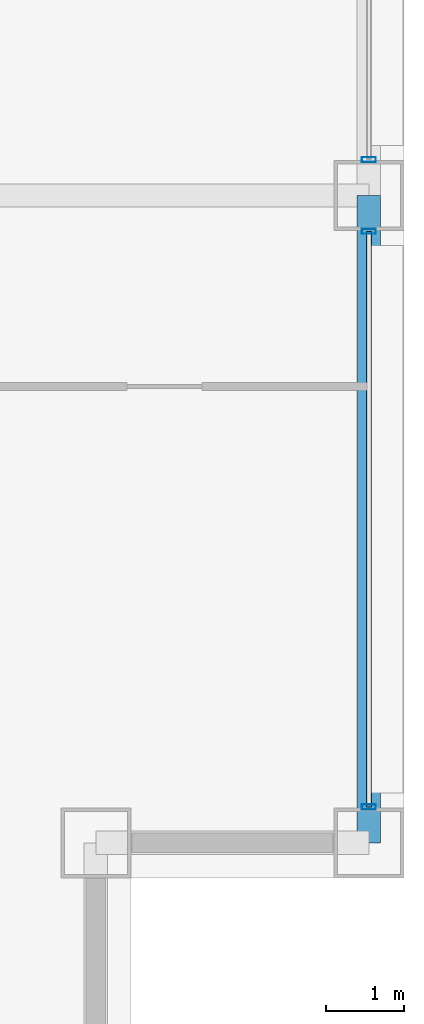
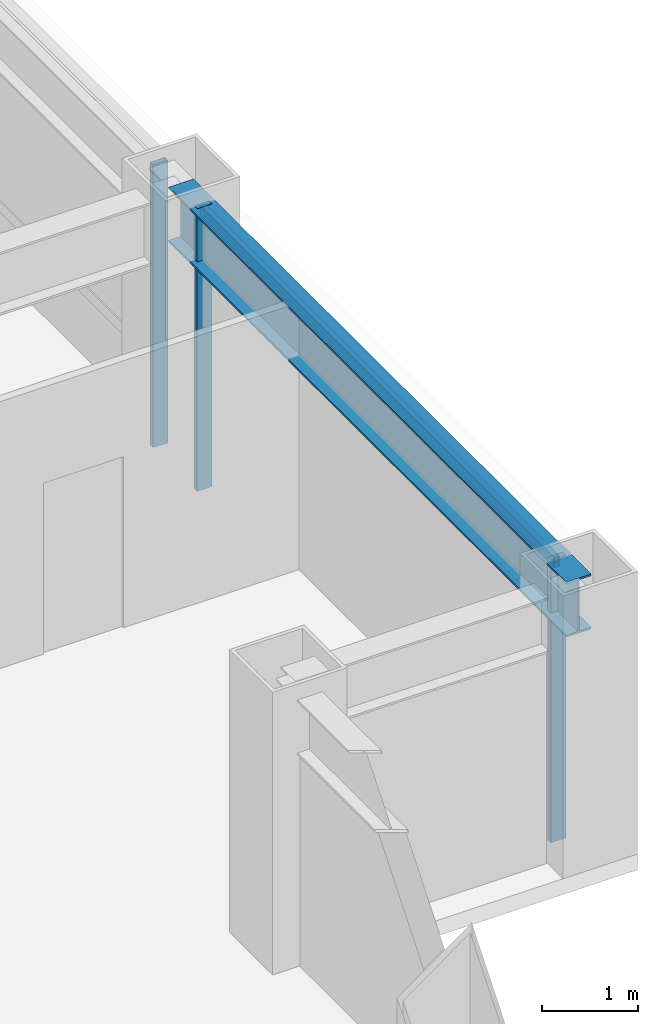
# One storey, part 13 of 29: 4 members, 1 beam, 2 elements without a shape of their own.
"""IFC4 building model written with IfcOpenShell, lengths in metres."""

from ifc_helpers import new_model, si_unit, direction, frame, origin, origin_2d, place, context, subcontext, project, spatial, hollow_rectangle, i_section, extrude, material, layer, layer_set, material_profile, profile_set, type_object, element, aggregate, save


model = new_model("IFC4")

# Units and contexts
model_context = context("Model", 3, precision=1e-05, world=origin(), true_north=direction((0.0, 1.0)))
body_context = subcontext(model_context, "Body", "Model", "MODEL_VIEW")
ifc_project = project(units=[si_unit("LENGTHUNIT", "METRE"), si_unit("AREAUNIT", "SQUARE_METRE"), si_unit("VOLUMEUNIT", "CUBIC_METRE"), si_unit("PLANEANGLEUNIT", "RADIAN"), si_unit("MASSUNIT", "GRAM", prefix="KILO")], contexts=[model_context])

# Site, building, storey
site_placement = place(None, origin())
site = spatial("IfcSite", under=ifc_project, at=site_placement, CompositionType="ELEMENT")
building_placement = place(site_placement, origin())
building = spatial("IfcBuilding", under=site, at=building_placement, Name="Brelmoor Portico Tower", CompositionType="ELEMENT")
storey_placement = place(building_placement, frame((0.0, 0.0, 52.800048828125)))
storey = spatial("IfcBuildingStorey", under=building, at=storey_placement, Name="L13", CompositionType="ELEMENT", Elevation=52.800048828125)

# Beam
ifc_material_1 = material(Name="Steel Q355B", Category="steel")
ifc_material_profile_1 = material_profile(ifc_material_1, i_section(OverallWidth=0.300048828125, OverallDepth=0.699951171875, WebThickness=0.012939453125, FlangeThickness=0.02392578125, at=origin_2d()), Name="HN 700x300x13x24")
ifc_profile_set_1 = profile_set([ifc_material_profile_1], Name="Steel Q355B")
beam_type = type_object("IfcBeamType", Name="BM-SP-700", PredefinedType="SPANDREL", material=ifc_profile_set_1)
beam_placement = place(storey_placement, frame((24.550048828125, -18.050048828125, 3.050048828125), z_axis=(0.0, 1.0, 0.0), x_axis=(-1.0, 0.0, 0.0)))
element("IfcBeam", 1, at=beam_placement, inside=storey, type_object=beam_type, Name="L13 Perimeter Spandrel Beam SP-22", PredefinedType="SPANDREL", context=body_context, shape_type="SweptSolid", body=[
    extrude(i_section(OverallWidth=0.300048828125, OverallDepth=0.699951171875, WebThickness=0.012939453125, FlangeThickness=0.02392578125, at=origin_2d()), origin(), (0.0, 0.0, 1.0), 8.300048828125),
])

# Curtain wall, members
ifc_material_2 = material(Name="Anodised Aluminium Alloy 6063-T6", Category="aluminium")
ifc_layer_1 = layer(ifc_material_2, 0.179931640625)
ifc_layer_set_1 = layer_set([ifc_layer_1], Name="Anodised Aluminium Alloy 6063-T6")
curtain_wall_type_1 = type_object("IfcCurtainWallType", Name="CW-TOWER-Z1-XB", PredefinedType="NOTDEFINED", material=ifc_layer_set_1)
curtain_wall_1_placement = place(storey_placement, origin())
curtain_wall_1 = element("IfcCurtainWall", 2, at=curtain_wall_1_placement, inside=storey, type_object=curtain_wall_type_1, Name="L13 Curtain Wall CW-L13-04-1", PredefinedType="NOTDEFINED")
ifc_material_profile_2 = material_profile(ifc_material_2, hollow_rectangle(XDim=0.06494140625, YDim=0.179931640625, WallThickness=0.00390625, at=origin_2d()), Name="ALU MULLION 65x180")
ifc_profile_set_2 = profile_set([ifc_material_profile_2], Name="Anodised Aluminium Alloy 6063-T6")
member_type_1 = type_object("IfcMemberType", Name="MB-CW-MULL-180", PredefinedType="MULLION", material=ifc_profile_set_2)
member_1_placement = place(storey_placement, frame((24.550048828125, -17.590087890625, -0.199951171875), z_axis=(0.0, 0.0, 1.0), x_axis=(0.0, 1.0, 0.0)))
member_1 = element("IfcMember", 3, at=member_1_placement, type_object=member_type_1, Name="CW-L13-04-1 Mullion 00", PredefinedType="MULLION", context=body_context, shape_type="SweptSolid", body=[
    extrude(hollow_rectangle(XDim=0.06494140625, YDim=0.179931640625, WallThickness=0.00390625, at=origin_2d()), origin(), (0.0, 0.0, 1.0), 3.599853515625),
])
member_2_placement = place(storey_placement, frame((24.550048828125, -10.2099609375, -0.199951171875), z_axis=(0.0, 0.0, 1.0), x_axis=(0.0, 1.0, 0.0)))
member_2 = element("IfcMember", 4, at=member_2_placement, type_object=member_type_1, Name="CW-L13-04-1 Mullion 01", PredefinedType="MULLION", context=body_context, shape_type="SweptSolid", body=[
    extrude(hollow_rectangle(XDim=0.06494140625, YDim=0.179931640625, WallThickness=0.00390625, at=origin_2d()), origin(), (0.0, 0.0, 1.0), 3.599853515625),
])

# Curtain wall, member
ifc_layer_2 = layer(ifc_material_2, 0.179931640625)
ifc_layer_set_2 = layer_set([ifc_layer_2], Name="Anodised Aluminium Alloy 6063-T6")
curtain_wall_type_2 = type_object("IfcCurtainWallType", Name="CW-TOWER-Z1", PredefinedType="NOTDEFINED", material=ifc_layer_set_2)
curtain_wall_2_placement = place(storey_placement, origin())
curtain_wall_2 = element("IfcCurtainWall", 5, at=curtain_wall_2_placement, inside=storey, type_object=curtain_wall_type_2, Name="L13 Curtain Wall CW-L13-04-2", PredefinedType="NOTDEFINED")
member_3_placement = place(storey_placement, frame((24.550048828125, -9.2900390625, -0.199951171875), z_axis=(0.0, 0.0, 1.0), x_axis=(0.0, 1.0, 0.0)))
member_3 = element("IfcMember", 6, at=member_3_placement, type_object=member_type_1, Name="CW-L13-04-2 Mullion 00", PredefinedType="MULLION", context=body_context, shape_type="SweptSolid", body=[
    extrude(hollow_rectangle(XDim=0.06494140625, YDim=0.179931640625, WallThickness=0.00390625, at=origin_2d()), origin(), (0.0, 0.0, 1.0), 3.599853515625),
])
aggregate(curtain_wall_2, [member_3])

# Member
ifc_material_profile_3 = material_profile(ifc_material_2, hollow_rectangle(XDim=0.06494140625, YDim=0.139892578125, WallThickness=0.00390625, at=origin_2d()), Name="ALU TRANSOM 65x140")
ifc_profile_set_3 = profile_set([ifc_material_profile_3], Name="Anodised Aluminium Alloy 6063-T6")
member_type_2 = type_object("IfcMemberType", Name="MB-CW-TRAN-140", PredefinedType="USERDEFINED", material=ifc_profile_set_3)
member_4_placement = place(storey_placement, frame((24.550048828125, -17.590087890625, 3.329833984375), z_axis=(0.0, 1.0, 0.0), x_axis=(-1.0, 0.0, 0.0)))
member_4 = element("IfcMember", 7, at=member_4_placement, type_object=member_type_2, Name="CW-L13-04-1 Transom 1-00", ObjectType="TRANSOM", PredefinedType="USERDEFINED", context=body_context, shape_type="SweptSolid", body=[
    extrude(hollow_rectangle(XDim=0.06494140625, YDim=0.139892578125, WallThickness=0.00390625, at=origin_2d()), origin(), (0.0, 0.0, 1.0), 7.380126953125),
])

aggregate(curtain_wall_1, [member_1, member_2, member_4])

save(model, "model.ifc")
